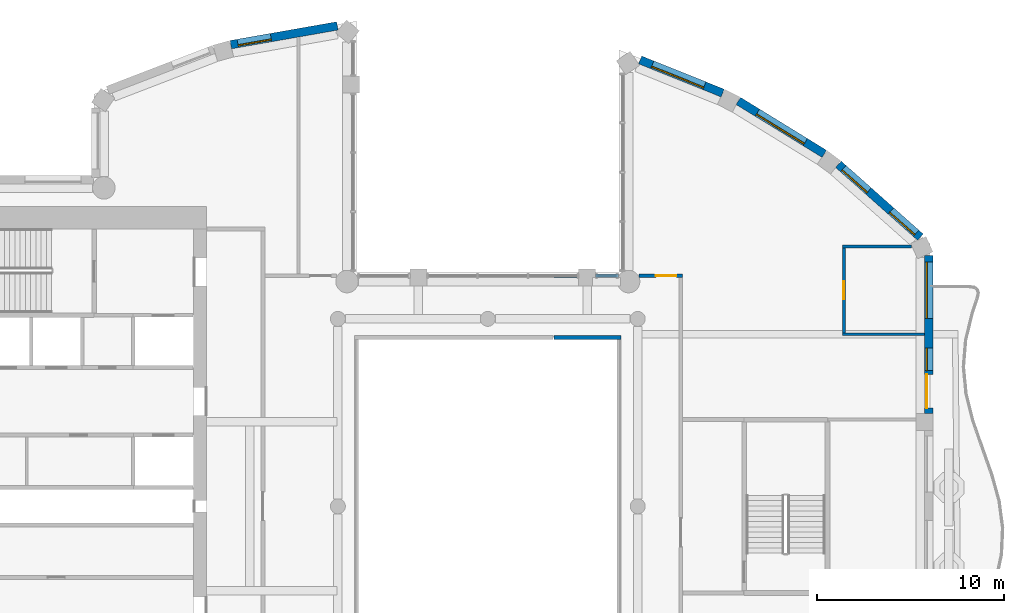
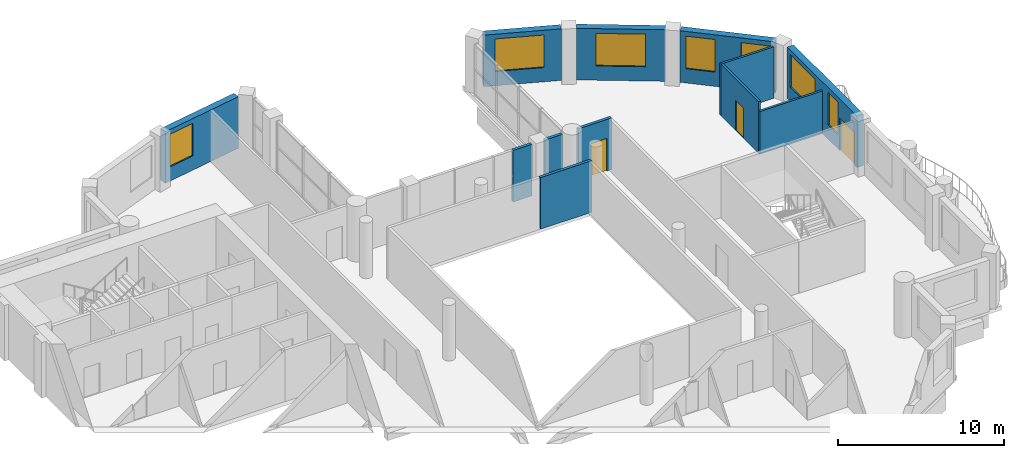
# One storey, part 8 of 15: 12 walls, 7 windows, 3 doors, 10 openings.
"""IFC4 building model written with IfcOpenShell, lengths in metres."""

from ifc_helpers import new_model, si_unit, direction, frame, frame_2d, origin, place, context, subcontext, project, spatial, rectangle, extrude, material, layer, layer_set, type_object, element, fill, save


model = new_model("IFC4")

# Units and contexts
model_context = context("Model", 3, precision=1e-05, world=origin(), true_north=direction((0.0, 1.0)))
body_context = subcontext(model_context, "Body", "Model", "MODEL_VIEW")
ifc_project = project(units=[si_unit("LENGTHUNIT", "METRE"), si_unit("AREAUNIT", "SQUARE_METRE"), si_unit("VOLUMEUNIT", "CUBIC_METRE"), si_unit("PLANEANGLEUNIT", "RADIAN"), si_unit("MASSUNIT", "GRAM", prefix="KILO")], contexts=[model_context])

# Site, building, storey
site_placement = place(None, origin())
site = spatial("IfcSite", under=ifc_project, at=site_placement, CompositionType="ELEMENT")
building_placement = place(site_placement, origin())
building = spatial("IfcBuilding", under=site, at=building_placement, Name="Cypress Arch Tower", CompositionType="ELEMENT")
storey_placement = place(building_placement, frame((0.0, 0.0, 309.0)))
storey = spatial("IfcBuildingStorey", under=building, at=storey_placement, Name="L70", CompositionType="ELEMENT", Elevation=309.0)

# Wall, opening, window
ifc_material_1 = material(Name="Brick (red buff blend)", Category="masonry")
ifc_layer_1 = layer(ifc_material_1, 0.449951171875)
ifc_layer_set_1 = layer_set([ifc_layer_1], Name="Brick pier and spandrel wall BW450")
wall_type_1 = type_object("IfcWallType", Name="Brick pier and spandrel wall BW450", PredefinedType="SOLIDWALL", material=ifc_layer_set_1)
wall_1_placement = place(storey_placement, frame((-7.028564453125, 25.63232421875, 0.0), z_axis=(0.0, 0.0, 1.0), x_axis=(-0.984797606634, -0.173705710808, 0.0)))
wall_1 = element("IfcWall", 1, at=wall_1_placement, inside=storey, type_object=wall_type_1, Name="Brick wall L70 C03.0", PredefinedType="SOLIDWALL", context=body_context, shape_type="SweptSolid", body=[
    extrude(rectangle(XDim=5.772216796875, YDim=0.449951171875, at=frame_2d((2.88623046875, 0.0))), origin(), (0.0, 0.0, 1.0), 3.800048828125),
])
opening_1_placement = place(wall_1_placement, frame((3.59326171875, 0.0, 1.050048828125)))
opening_1 = element("IfcOpeningElement", 2, at=opening_1_placement, cuts=wall_1, Name="Opening W180O", PredefinedType="OPENING", context=body_context, shape_type="SweptSolid", body=[
    extrude(rectangle(XDim=1.800048828125, YDim=2.39990234375, at=frame_2d((0.89990234375, 1.199951171875))), frame((0.0, 0.23486328125, 0.0), z_axis=(0.0, -1.0, 0.0), x_axis=(1.0, 0.0, 0.0)), (0.0, 0.0, 1.0), 0.469970703125),
])
ifc_material_2 = material(Name="Anodised aluminium, bronze finish, clear low-emissivity double glazing", Category="aluminium")
window_type_1 = type_object("IfcWindowType", Name="Window Office 1800x2400", PartitioningType="SINGLE_PANEL", PredefinedType="WINDOW", material=ifc_material_2)
window_1_placement = place(opening_1_placement, origin())
window_1 = element("IfcWindow", 3, at=window_1_placement, inside=storey, type_object=window_type_1, Name="Window L70 C03.0.2", OverallHeight=2.39990234375, OverallWidth=1.800048828125, PartitioningType="SINGLE_PANEL", PredefinedType="WINDOW", context=body_context, shape_type="SweptSolid", body=[
    extrude(rectangle(XDim=1.800048828125, YDim=2.39990234375, at=frame_2d((0.89990234375, 1.199951171875))), frame((0.0, 0.135009765625, 0.0), z_axis=(0.0, -1.0, 0.0), x_axis=(1.0, 0.0, 0.0)), (0.0, 0.0, 1.0), 0.06005859375),
])
fill(opening_1, window_1)

# Wall, openings, door, windows
wall_2_placement = place(storey_placement, frame((24.52490234375, 4.949951171875, 0.0), z_axis=(0.0, 0.0, 1.0), x_axis=(0.0, 1.0, 0.0)))
wall_2 = element("IfcWall", 4, at=wall_2_placement, inside=storey, type_object=wall_type_1, Name="Brick wall L70 C17.2", PredefinedType="SOLIDWALL", context=body_context, shape_type="SweptSolid", body=[
    extrude(rectangle(XDim=8.421875, YDim=0.449951171875, at=frame_2d((4.2109375, 0.0))), origin(), (0.0, 0.0, 1.0), 3.800048828125),
])
opening_2_placement = place(wall_2_placement, frame((0.291259765625, 0.0, 0.0)))
opening_2 = element("IfcOpeningElement", 5, at=opening_2_placement, cuts=wall_2, Name="Opening D-L70-C17.2.1", PredefinedType="OPENING", context=body_context, shape_type="SweptSolid", body=[
    extrude(rectangle(XDim=1.800048828125, YDim=2.39990234375, at=frame_2d((0.89990234375, 1.199951171875))), frame((0.0, 0.23486328125, 0.0), z_axis=(0.0, -1.0, 0.0), x_axis=(1.0, 0.0, 0.0)), (0.0, 0.0, 1.0), 0.469970703125),
])
opening_3_placement = place(wall_2_placement, frame((2.291259765625, 0.0, 1.050048828125)))
opening_3 = element("IfcOpeningElement", 6, at=opening_3_placement, cuts=wall_2, Name="Opening W120OD", PredefinedType="OPENING", context=body_context, shape_type="SweptSolid", body=[
    extrude(rectangle(XDim=1.199951171875, YDim=2.39990234375, at=frame_2d((0.60009765625, 1.199951171875))), frame((0.0, 0.23486328125, 0.0), z_axis=(0.0, -1.0, 0.0), x_axis=(1.0, 0.0, 0.0)), (0.0, 0.0, 1.0), 0.469970703125),
])
opening_4_placement = place(wall_2_placement, frame((5.073974609375, 0.0, 1.050048828125)))
opening_4 = element("IfcOpeningElement", 7, at=opening_4_placement, cuts=wall_2, Name="Opening W300OD", PredefinedType="OPENING", context=body_context, shape_type="SweptSolid", body=[
    extrude(rectangle(XDim=3.0, YDim=2.39990234375, at=frame_2d((1.5, 1.199951171875))), frame((0.0, 0.23486328125, 0.0), z_axis=(0.0, -1.0, 0.0), x_axis=(1.0, 0.0, 0.0)), (0.0, 0.0, 1.0), 0.469970703125),
])
ifc_material_3 = material(Name="Anodised aluminium, bronze finish, laminated low-emissivity double glazing, large-missile impact rated", Category="aluminium")
door_type_1 = type_object("IfcDoorType", Name="Balcony sliding door 1800x2400", OperationType="SLIDING_TO_LEFT", PredefinedType="DOOR", material=ifc_material_3)
door_1_placement = place(opening_2_placement, origin())
door_1 = element("IfcDoor", 8, at=door_1_placement, inside=storey, type_object=door_type_1, Name="Balcony door L70 C17.2.1", OperationType="SLIDING_TO_LEFT", OverallHeight=2.39990234375, OverallWidth=1.800048828125, PredefinedType="DOOR", context=body_context, shape_type="SweptSolid", body=[
    extrude(rectangle(XDim=1.800048828125, YDim=2.39990234375, at=frame_2d((0.89990234375, 1.199951171875))), frame((0.0, 0.1298828125, 0.0), z_axis=(0.0, -1.0, 0.0), x_axis=(1.0, 0.0, 0.0)), (0.0, 0.0, 1.0), 0.050048828125),
])
fill(opening_2, door_1)
ifc_material_4 = material(Name="Anodised aluminium, bronze finish, laminated low-emissivity double glazing, large-missile impact rated", Category="aluminium")
window_type_2 = type_object("IfcWindowType", Name="Window Office 1200x2400 debris-rated", PartitioningType="SINGLE_PANEL", PredefinedType="WINDOW", material=ifc_material_4)
window_2_placement = place(opening_3_placement, origin())
window_2 = element("IfcWindow", 9, at=window_2_placement, inside=storey, type_object=window_type_2, Name="Window L70 C17.2.1", OverallHeight=2.39990234375, OverallWidth=1.199951171875, PartitioningType="SINGLE_PANEL", PredefinedType="WINDOW", context=body_context, shape_type="SweptSolid", body=[
    extrude(rectangle(XDim=1.199951171875, YDim=2.39990234375, at=frame_2d((0.60009765625, 1.199951171875))), frame((0.0, 0.135009765625, 0.0), z_axis=(0.0, -1.0, 0.0), x_axis=(1.0, 0.0, 0.0)), (0.0, 0.0, 1.0), 0.06005859375),
])
fill(opening_3, window_2)
ifc_material_5 = material(Name="Anodised aluminium, bronze finish, laminated low-emissivity double glazing, large-missile impact rated", Category="aluminium")
window_type_3 = type_object("IfcWindowType", Name="Window Office 3000x2400 debris-rated", PartitioningType="SINGLE_PANEL", PredefinedType="WINDOW", material=ifc_material_5)
window_3_placement = place(opening_4_placement, origin())
window_3 = element("IfcWindow", 10, at=window_3_placement, inside=storey, type_object=window_type_3, Name="Window L70 C17.2.2", OverallHeight=2.39990234375, OverallWidth=3.0, PartitioningType="SINGLE_PANEL", PredefinedType="WINDOW", context=body_context, shape_type="SweptSolid", body=[
    extrude(rectangle(XDim=3.0, YDim=2.39990234375, at=frame_2d((1.5, 1.199951171875))), frame((0.0, 0.135009765625, 0.0), z_axis=(0.0, -1.0, 0.0), x_axis=(1.0, 0.0, 0.0)), (0.0, 0.0, 1.0), 0.06005859375),
])
fill(opening_4, window_3)

# Wall, openings, windows
wall_3_placement = place(storey_placement, frame((24.08056640625, 14.361083984375, 0.0), z_axis=(0.0, 0.0, 1.0), x_axis=(-0.747570482973, 0.664182484704, 0.0)))
wall_3 = element("IfcWall", 11, at=wall_3_placement, inside=storey, type_object=wall_type_1, Name="Brick wall L70 C18.0", PredefinedType="SOLIDWALL", context=body_context, shape_type="SweptSolid", body=[
    extrude(rectangle(XDim=5.849609375, YDim=0.449951171875, at=frame_2d((2.9248046875, 0.0))), origin(), (0.0, 0.0, 1.0), 3.800048828125),
])
opening_5_placement = place(wall_3_placement, frame((0.305419921875, 0.0, 1.050048828125)))
opening_5 = element("IfcOpeningElement", 12, at=opening_5_placement, cuts=wall_3, Name="Opening W180O", PredefinedType="OPENING", context=body_context, shape_type="SweptSolid", body=[
    extrude(rectangle(XDim=1.800048828125, YDim=2.39990234375, at=frame_2d((0.89990234375, 1.199951171875))), frame((0.0, 0.23486328125, 0.0), z_axis=(0.0, -1.0, 0.0), x_axis=(1.0, 0.0, 0.0)), (0.0, 0.0, 1.0), 0.469970703125),
])
opening_6_placement = place(wall_3_placement, frame((3.702880859375, 0.0, 1.050048828125)))
opening_6 = element("IfcOpeningElement", 13, at=opening_6_placement, cuts=wall_3, Name="Opening W180O", PredefinedType="OPENING", context=body_context, shape_type="SweptSolid", body=[
    extrude(rectangle(XDim=1.800048828125, YDim=2.39990234375, at=frame_2d((0.89990234375, 1.199951171875))), frame((0.0, 0.23486328125, 0.0), z_axis=(0.0, -1.0, 0.0), x_axis=(1.0, 0.0, 0.0)), (0.0, 0.0, 1.0), 0.469970703125),
])
window_4_placement = place(opening_5_placement, origin())
window_4 = element("IfcWindow", 14, at=window_4_placement, inside=storey, type_object=window_type_1, Name="Window L70 C18.0.1", OverallHeight=2.39990234375, OverallWidth=1.800048828125, PartitioningType="SINGLE_PANEL", PredefinedType="WINDOW", context=body_context, shape_type="SweptSolid", body=[
    extrude(rectangle(XDim=1.800048828125, YDim=2.39990234375, at=frame_2d((0.89990234375, 1.199951171875))), frame((0.0, 0.135009765625, 0.0), z_axis=(0.0, -1.0, 0.0), x_axis=(1.0, 0.0, 0.0)), (0.0, 0.0, 1.0), 0.06005859375),
])
fill(opening_5, window_4)
window_5_placement = place(opening_6_placement, origin())
window_5 = element("IfcWindow", 15, at=window_5_placement, inside=storey, type_object=window_type_1, Name="Window L70 C18.0.2", OverallHeight=2.39990234375, OverallWidth=1.800048828125, PartitioningType="SINGLE_PANEL", PredefinedType="WINDOW", context=body_context, shape_type="SweptSolid", body=[
    extrude(rectangle(XDim=1.800048828125, YDim=2.39990234375, at=frame_2d((0.89990234375, 1.199951171875))), frame((0.0, 0.135009765625, 0.0), z_axis=(0.0, -1.0, 0.0), x_axis=(1.0, 0.0, 0.0)), (0.0, 0.0, 1.0), 0.06005859375),
])
fill(opening_6, window_5)

# Wall, opening, window
wall_4_placement = place(storey_placement, frame((18.953369140625, 18.806396484375, 0.0), z_axis=(0.0, 0.0, 1.0), x_axis=(-0.851860664503, 0.523768468193, 0.0)))
wall_4 = element("IfcWall", 16, at=wall_4_placement, inside=storey, type_object=wall_type_1, Name="Brick wall L70 C19.0", PredefinedType="SOLIDWALL", context=body_context, shape_type="SweptSolid", body=[
    extrude(rectangle(XDim=5.3837890625, YDim=0.449951171875, at=frame_2d((2.69189453125, 0.0))), origin(), (0.0, 0.0, 1.0), 3.800048828125),
])
opening_7_placement = place(wall_4_placement, frame((1.19189453125, 0.0, 1.050048828125)))
opening_7 = element("IfcOpeningElement", 17, at=opening_7_placement, cuts=wall_4, Name="Opening W300O", PredefinedType="OPENING", context=body_context, shape_type="SweptSolid", body=[
    extrude(rectangle(XDim=3.0, YDim=2.39990234375, at=frame_2d((1.5, 1.199951171875))), frame((0.0, 0.23486328125, 0.0), z_axis=(0.0, -1.0, 0.0), x_axis=(1.0, 0.0, 0.0)), (0.0, 0.0, 1.0), 0.469970703125),
])
ifc_material_6 = material(Name="Anodised aluminium, bronze finish, clear low-emissivity double glazing", Category="aluminium")
window_type_4 = type_object("IfcWindowType", Name="Window Office 3000x2400", PartitioningType="SINGLE_PANEL", PredefinedType="WINDOW", material=ifc_material_6)
window_6_placement = place(opening_7_placement, origin())
window_6 = element("IfcWindow", 18, at=window_6_placement, inside=storey, type_object=window_type_4, Name="Window L70 C19.0.1", OverallHeight=2.39990234375, OverallWidth=3.0, PartitioningType="SINGLE_PANEL", PredefinedType="WINDOW", context=body_context, shape_type="SweptSolid", body=[
    extrude(rectangle(XDim=3.0, YDim=2.39990234375, at=frame_2d((1.5, 1.199951171875))), frame((0.0, 0.135009765625, 0.0), z_axis=(0.0, -1.0, 0.0), x_axis=(1.0, 0.0, 0.0)), (0.0, 0.0, 1.0), 0.06005859375),
])
fill(opening_7, window_6)

wall_5_placement = place(storey_placement, frame((13.529296875, 22.04833984375, 0.0), z_axis=(0.0, 0.0, 1.0), x_axis=(-0.927957332619, 0.372686448424, 0.0)))
wall_5 = element("IfcWall", 19, at=wall_5_placement, inside=storey, type_object=wall_type_1, Name="Brick wall L70 C20.0", PredefinedType="SOLIDWALL", context=body_context, shape_type="SweptSolid", body=[
    extrude(rectangle(XDim=4.741455078125, YDim=0.449951171875, at=frame_2d((2.37060546875, 0.0))), origin(), (0.0, 0.0, 1.0), 3.800048828125),
])
opening_8_placement = place(wall_5_placement, frame((1.046630859375, 0.0, 1.050048828125)))
opening_8 = element("IfcOpeningElement", 20, at=opening_8_placement, cuts=wall_5, Name="Opening W300O", PredefinedType="OPENING", context=body_context, shape_type="SweptSolid", body=[
    extrude(rectangle(XDim=3.0, YDim=2.39990234375, at=frame_2d((1.5, 1.199951171875))), frame((0.0, 0.23486328125, 0.0), z_axis=(0.0, -1.0, 0.0), x_axis=(1.0, 0.0, 0.0)), (0.0, 0.0, 1.0), 0.469970703125),
])
window_7_placement = place(opening_8_placement, origin())
window_7 = element("IfcWindow", 21, at=window_7_placement, inside=storey, type_object=window_type_4, Name="Window L70 C20.0.1", OverallHeight=2.39990234375, OverallWidth=3.0, PartitioningType="SINGLE_PANEL", PredefinedType="WINDOW", context=body_context, shape_type="SweptSolid", body=[
    extrude(rectangle(XDim=3.0, YDim=2.39990234375, at=frame_2d((1.5, 1.199951171875))), frame((0.0, 0.135009765625, 0.0), z_axis=(0.0, -1.0, 0.0), x_axis=(1.0, 0.0, 0.0)), (0.0, 0.0, 1.0), 0.06005859375),
])
fill(opening_8, window_7)

# Walls
ifc_material_7 = material(Name="Concrete blockwork, plastered, rated", Category="masonry")
ifc_layer_2 = layer(ifc_material_7, 0.199951171875)
ifc_layer_set_2 = layer_set([ifc_layer_2], Name="Corridor wall FW200")
wall_type_2 = type_object("IfcWallType", Name="Corridor wall FW200", PredefinedType="PARTITIONING", material=ifc_layer_set_2)
wall_6_placement = place(storey_placement, frame((4.52001953125, 9.0, 0.0), z_axis=(0.0, 0.0, 1.0), x_axis=(1.0, 0.0, 0.0)))
element("IfcWall", 22, at=wall_6_placement, inside=storey, type_object=wall_type_2, Name="Corridor wall", PredefinedType="PARTITIONING", context=body_context, shape_type="SweptSolid", body=[
    extrude(rectangle(XDim=3.580078125, YDim=0.199951171875, at=frame_2d((1.7900390625, 0.0))), origin(), (0.0, 0.0, 1.0), 3.800048828125),
])
wall_7_placement = place(storey_placement, frame((4.52001953125, 12.300048828125, 0.0), z_axis=(0.0, 0.0, 1.0), x_axis=(1.0, 0.0, 0.0)))
element("IfcWall", 23, at=wall_7_placement, inside=storey, type_object=wall_type_2, Name="Corridor wall", PredefinedType="PARTITIONING", context=body_context, shape_type="SweptSolid", body=[
    extrude(rectangle(XDim=1.330078125, YDim=0.199951171875, at=frame_2d((0.6650390625, 0.0))), origin(), (0.0, 0.0, 1.0), 3.800048828125),
])
wall_8_placement = place(storey_placement, frame((6.75, 12.300048828125, 0.0), z_axis=(0.0, 0.0, 1.0), x_axis=(1.0, 0.0, 0.0)))
element("IfcWall", 24, at=wall_8_placement, inside=storey, type_object=wall_type_2, Name="Corridor wall", PredefinedType="PARTITIONING", context=body_context, shape_type="SweptSolid", body=[
    extrude(rectangle(XDim=1.2119140625, YDim=0.199951171875, at=frame_2d((0.60595703125, 0.0))), origin(), (0.0, 0.0, 1.0), 3.800048828125),
])

# Wall, opening, door
wall_9_placement = place(storey_placement, frame((9.062255859375, 12.300048828125, 0.0), z_axis=(0.0, 0.0, 1.0), x_axis=(1.0, 0.0, 0.0)))
wall_9 = element("IfcWall", 25, at=wall_9_placement, inside=storey, type_object=wall_type_2, Name="Corridor wall", PredefinedType="PARTITIONING", context=body_context, shape_type="SweptSolid", body=[
    extrude(rectangle(XDim=2.337646484375, YDim=0.199951171875, at=frame_2d((1.1689453125, 0.0))), origin(), (0.0, 0.0, 1.0), 3.800048828125),
])
opening_9_placement = place(wall_9_placement, frame((0.89990234375, 0.0, 0.0)))
opening_9 = element("IfcOpeningElement", 26, at=opening_9_placement, cuts=wall_9, Name="Opening D01", PredefinedType="OPENING", context=body_context, shape_type="SweptSolid", body=[
    extrude(rectangle(XDim=1.10009765625, YDim=2.39990234375, at=frame_2d((0.550048828125, 1.199951171875))), frame((0.0, 0.10986328125, 0.0), z_axis=(0.0, -1.0, 0.0), x_axis=(1.0, 0.0, 0.0)), (0.0, 0.0, 1.0), 0.219970703125),
])
ifc_material_8 = material(Name="Timber flush door, fire resisting, self-closing", Category="wood")
door_type_2 = type_object("IfcDoorType", Name="Unit entrance door D01 1100x2400", OperationType="SINGLE_SWING_LEFT", PredefinedType="DOOR", material=ifc_material_8)
door_2_placement = place(opening_9_placement, origin())
door_2 = element("IfcDoor", 27, at=door_2_placement, inside=storey, type_object=door_type_2, Name="Unit entrance door", OperationType="SINGLE_SWING_LEFT", OverallHeight=2.39990234375, OverallWidth=1.10009765625, PredefinedType="DOOR", context=body_context, shape_type="SweptSolid", body=[
    extrude(rectangle(XDim=1.10009765625, YDim=2.39990234375, at=frame_2d((0.550048828125, 1.199951171875))), frame((0.0, 0.02490234375, 0.0), z_axis=(0.0, -1.0, 0.0), x_axis=(1.0, 0.0, 0.0)), (0.0, 0.0, 1.0), 0.050048828125),
])
fill(opening_9, door_2)

ifc_material_9 = material(Name="Blockwork, plastered both sides", Category="masonry")
ifc_layer_3 = layer(ifc_material_9, 0.14990234375)
ifc_layer_set_3 = layer_set([ifc_layer_3], Name="Partition PW150")
wall_type_3 = type_object("IfcWallType", Name="Partition PW150", PredefinedType="PARTITIONING", material=ifc_layer_set_3)
wall_10_placement = place(storey_placement, frame((20.0, 9.258056640625, 0.0), z_axis=(0.0, 0.0, 1.0), x_axis=(0.0, 1.0, 0.0)))
wall_10 = element("IfcWall", 28, at=wall_10_placement, inside=storey, type_object=wall_type_3, Name="Partition", PredefinedType="PARTITIONING", context=body_context, shape_type="SweptSolid", body=[
    extrude(rectangle(XDim=4.531982421875, YDim=0.14990234375, at=frame_2d((2.26611328125, 0.0))), origin(), (0.0, 0.0, 1.0), 3.800048828125),
])
opening_10_placement = place(wall_10_placement, frame((1.800048828125, 0.0, 0.0)))
opening_10 = element("IfcOpeningElement", 29, at=opening_10_placement, cuts=wall_10, Name="Opening D12", PredefinedType="OPENING", context=body_context, shape_type="SweptSolid", body=[
    extrude(rectangle(XDim=0.949951171875, YDim=2.199951171875, at=frame_2d((0.47509765625, 1.10009765625))), frame((0.0, 0.0849609375, 0.0), z_axis=(0.0, -1.0, 0.0), x_axis=(1.0, 0.0, 0.0)), (0.0, 0.0, 1.0), 0.169921875),
])
ifc_material_10 = material(Name="Timber flush door", Category="wood")
door_type_3 = type_object("IfcDoorType", Name="Room door D12 950x2200", OperationType="SINGLE_SWING_LEFT", PredefinedType="DOOR", material=ifc_material_10)
door_3_placement = place(opening_10_placement, origin())
door_3 = element("IfcDoor", 30, at=door_3_placement, inside=storey, type_object=door_type_3, Name="Room door", OperationType="SINGLE_SWING_RIGHT", OverallHeight=2.199951171875, OverallWidth=0.949951171875, PredefinedType="DOOR", context=body_context, shape_type="SweptSolid", body=[
    extrude(rectangle(XDim=0.949951171875, YDim=2.199951171875, at=frame_2d((0.47509765625, 1.10009765625))), frame((0.0, 0.02490234375, 0.0), z_axis=(0.0, -1.0, 0.0), x_axis=(1.0, 0.0, 0.0)), (0.0, 0.0, 1.0), 0.050048828125),
])
fill(opening_10, door_3)

# Walls
wall_11_placement = place(storey_placement, frame((19.925048828125, 9.18310546875, 0.0), z_axis=(0.0, 0.0, 1.0), x_axis=(1.0, 0.0, 0.0)))
element("IfcWall", 31, at=wall_11_placement, inside=storey, type_object=wall_type_3, Name="Partition", PredefinedType="PARTITIONING", context=body_context, shape_type="SweptSolid", body=[
    extrude(rectangle(XDim=4.375, YDim=0.14990234375, at=frame_2d((2.1875, 0.0))), origin(), (0.0, 0.0, 1.0), 3.14990234375),
])
wall_12_placement = place(storey_placement, frame((19.925048828125, 13.864990234375, 0.0), z_axis=(0.0, 0.0, 1.0), x_axis=(1.0, 0.0, 0.0)))
element("IfcWall", 32, at=wall_12_placement, inside=storey, type_object=wall_type_3, Name="Partition", PredefinedType="PARTITIONING", context=body_context, shape_type="SweptSolid", body=[
    extrude(rectangle(XDim=3.677734375, YDim=0.14990234375, at=frame_2d((1.8388671875, 0.0))), origin(), (0.0, 0.0, 1.0), 3.800048828125),
])

save(model, "model.ifc")
